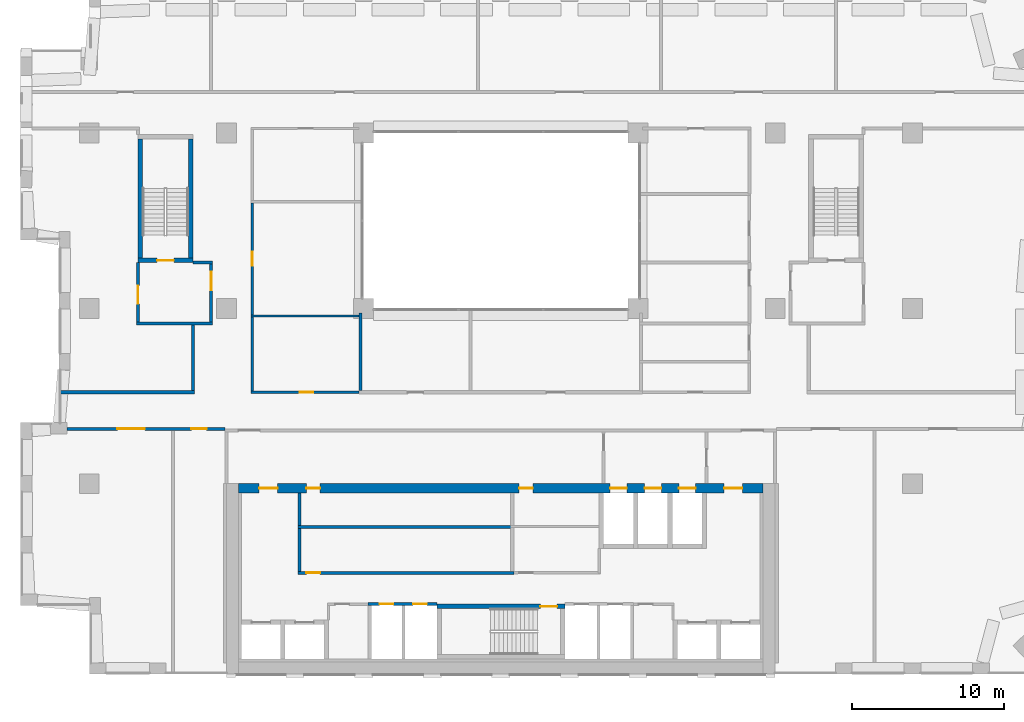
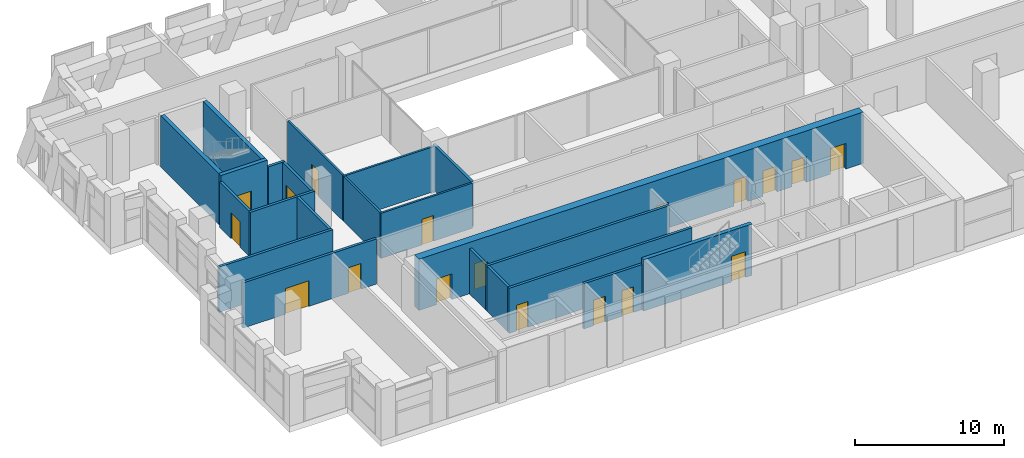
# One storey, part 16 of 20: 22 walls, 18 doors, 18 openings.
"""IFC4 building model written with IfcOpenShell, lengths in metres."""

from ifc_helpers import new_model, si_unit, direction, frame, frame_2d, origin, place, context, subcontext, project, spatial, rectangle, extrude, material, layer, layer_set, type_object, element, fill, save


model = new_model("IFC4")

# Units and contexts
model_context = context("Model", 3, precision=1e-05, world=origin(), true_north=direction((0.0, 1.0)))
body_context = subcontext(model_context, "Body", "Model", "MODEL_VIEW")
ifc_project = project(units=[si_unit("LENGTHUNIT", "METRE"), si_unit("AREAUNIT", "SQUARE_METRE"), si_unit("VOLUMEUNIT", "CUBIC_METRE"), si_unit("PLANEANGLEUNIT", "RADIAN"), si_unit("MASSUNIT", "GRAM", prefix="KILO")], contexts=[model_context])

# Site, building, storey
site_placement = place(None, origin())
site = spatial("IfcSite", under=ifc_project, at=site_placement, CompositionType="ELEMENT")
building_placement = place(site_placement, origin())
building = spatial("IfcBuilding", under=site, at=building_placement, Name="Brigalow Station Residences", CompositionType="ELEMENT")
storey_placement = place(building_placement, frame((0.0, 0.0, 137.10009765625)))
storey = spatial("IfcBuildingStorey", under=building, at=storey_placement, Name="L39", CompositionType="ELEMENT", Elevation=137.10009765625)

# Wall, opening, door
ifc_material_1 = material(Name="Concrete C65", Category="concrete")
ifc_layer_1 = layer(ifc_material_1, 0.300048828125)
ifc_layer_set_1 = layer_set([ifc_layer_1], Name="CORE SHEAR WALL 300 C65")
wall_type_1 = type_object("IfcWallType", Name="CORE SHEAR WALL 300 C65", PredefinedType="SHEAR", material=ifc_layer_set_1)
wall_1_placement = place(storey_placement, frame((31.800048828125, 4.449951171875, 0.0), z_axis=(0.0, 0.0, 1.0), x_axis=(1.0, 0.0, 0.0)))
wall_1 = element("IfcWall", 1, at=wall_1_placement, inside=storey, type_object=wall_type_1, Name="CORE WALL ST-S2-N L39", PredefinedType="SHEAR", context=body_context, shape_type="SweptSolid", body=[
    extrude(rectangle(XDim=8.39990234375, YDim=0.300048828125, at=frame_2d((4.199951171875, 0.0))), origin(), (0.0, 0.0, 1.0), 4.199951171875),
])
opening_1_placement = place(wall_1_placement, frame((6.800048828125, 0.0, 0.0)))
opening_1 = element("IfcOpeningElement", 2, at=opening_1_placement, cuts=wall_1, Name="Opening D-5001", PredefinedType="OPENING", context=body_context, shape_type="SweptSolid", body=[
    extrude(rectangle(XDim=1.10009765625, YDim=2.10009765625, at=frame_2d((0.550048828125, 1.050048828125))), frame((0.0, 0.16015625, 0.0), z_axis=(0.0, -1.0, 0.0), x_axis=(1.0, 0.0, 0.0)), (0.0, 0.0, 1.0), 0.320068359375),
])
ifc_material_2 = material(Name="Steel fire door leaf in steel frame", Category="steel")
door_type_1 = type_object("IfcDoorType", Name="STAIR DOOR 1100 x 2100 FD60S", OperationType="SINGLE_SWING_LEFT", PredefinedType="DOOR", material=ifc_material_2)
door_1_placement = place(opening_1_placement, frame((1.10009765625, 0.0, 0.0), z_axis=(0.0, 0.0, 1.0), x_axis=(-1.0, 0.0, 0.0)))
door_1 = element("IfcDoor", 3, at=door_1_placement, inside=storey, type_object=door_type_1, Name="D-5001", OperationType="SINGLE_SWING_LEFT", OverallHeight=2.10009765625, OverallWidth=1.10009765625, PredefinedType="DOOR", context=body_context, shape_type="SweptSolid", body=[
    extrude(rectangle(XDim=1.10009765625, YDim=2.10009765625, at=frame_2d((0.550048828125, 1.050048828125))), frame((0.0, 0.02490234375, 0.0), z_axis=(0.0, -1.0, 0.0), x_axis=(1.0, 0.0, 0.0)), (0.0, 0.0, 1.0), 0.050048828125),
])
fill(opening_1, door_1)

wall_2_placement = place(storey_placement, frame((12.199951171875, 27.14990234375, 0.0), z_axis=(0.0, 0.0, 1.0), x_axis=(1.0, 0.0, 0.0)))
wall_2 = element("IfcWall", 4, at=wall_2_placement, inside=storey, type_object=wall_type_1, Name="CORE WALL ST-S1-S L39", PredefinedType="SHEAR", context=body_context, shape_type="SweptSolid", body=[
    extrude(rectangle(XDim=3.60009765625, YDim=0.300048828125, at=frame_2d((1.800048828125, 0.0))), origin(), (0.0, 0.0, 1.0), 4.199951171875),
])
opening_2_placement = place(wall_2_placement, frame((1.25, 0.0, 0.0)))
opening_2 = element("IfcOpeningElement", 5, at=opening_2_placement, cuts=wall_2, Name="Opening D-5015", PredefinedType="OPENING", context=body_context, shape_type="SweptSolid", body=[
    extrude(rectangle(XDim=1.10009765625, YDim=2.10009765625, at=frame_2d((0.550048828125, 1.050048828125))), frame((0.0, 0.16015625, 0.0), z_axis=(0.0, -1.0, 0.0), x_axis=(1.0, 0.0, 0.0)), (0.0, 0.0, 1.0), 0.320068359375),
])
door_2_placement = place(opening_2_placement, origin())
door_2 = element("IfcDoor", 6, at=door_2_placement, inside=storey, type_object=door_type_1, Name="D-5015", OperationType="SINGLE_SWING_LEFT", OverallHeight=2.10009765625, OverallWidth=1.10009765625, PredefinedType="DOOR", context=body_context, shape_type="SweptSolid", body=[
    extrude(rectangle(XDim=1.10009765625, YDim=2.10009765625, at=frame_2d((0.550048828125, 1.050048828125))), frame((0.0, 0.02490234375, 0.0), z_axis=(0.0, -1.0, 0.0), x_axis=(1.0, 0.0, 0.0)), (0.0, 0.0, 1.0), 0.050048828125),
])
fill(opening_2, door_2)

# Walls
for number, where, z_axis, x_axis, name in (
    (7, (12.35009765625, 27.300048828125, 0.0), (0.0, 0.0, 1.0), (0.0, 1.0, 0.0), "CORE WALL ST-S1-W L39"),
    (8, (15.64990234375, 27.300048828125, 0.0), (0.0, 0.0, 1.0), (0.0, 1.0, 0.0), "CORE WALL ST-S1-E L39"),
):
    element("IfcWall", number, at=place(storey_placement, frame(where, z_axis=z_axis, x_axis=x_axis)), inside=storey, type_object=wall_type_1, Name=name, PredefinedType="SHEAR", context=body_context, shape_type="SweptSolid", body=[
        extrude(rectangle(XDim=7.800048828125, YDim=0.300048828125, at=frame_2d((3.89990234375, 0.0))), origin(), (0.0, 0.0, 1.0), 4.199951171875),
    ])

# Wall, openings, doors
ifc_material_3 = material(Name="Concrete C65", Category="concrete")
ifc_layer_2 = layer(ifc_material_3, 0.60009765625)
ifc_layer_set_2 = layer_set([ifc_layer_2], Name="CORE SHEAR WALL 600 C65")
wall_type_2 = type_object("IfcWallType", Name="CORE SHEAR WALL 600 C65", PredefinedType="SHEAR", material=ifc_layer_set_2)
wall_3_placement = place(storey_placement, frame((18.800048828125, 12.199951171875, 0.0), z_axis=(0.0, 0.0, 1.0), x_axis=(1.0, 0.0, 0.0)))
wall_3 = element("IfcWall", 9, at=wall_3_placement, inside=storey, type_object=wall_type_2, Name="CORE WALL OUT-N L39", PredefinedType="SHEAR", context=body_context, shape_type="SweptSolid", body=[
    extrude(rectangle(XDim=34.39990234375, YDim=0.60009765625, at=frame_2d((17.199951171875, 0.0))), origin(), (0.0, 0.0, 1.0), 4.199951171875),
])
opening_3_placement = place(wall_3_placement, frame((24.375, 0.0, 0.0)))
opening_3 = element("IfcOpeningElement", 10, at=opening_3_placement, cuts=wall_3, Name="Opening LD-LF1", PredefinedType="OPENING", context=body_context, shape_type="SweptSolid", body=[
    extrude(rectangle(XDim=1.10009765625, YDim=2.10009765625, at=frame_2d((0.550048828125, 1.050048828125))), frame((0.0, 0.31005859375, 0.0), z_axis=(0.0, -1.0, 0.0), x_axis=(1.0, 0.0, 0.0)), (0.0, 0.0, 1.0), 0.6201171875),
])
opening_4_placement = place(wall_3_placement, frame((26.625, 0.0, 0.0)))
opening_4 = element("IfcOpeningElement", 11, at=opening_4_placement, cuts=wall_3, Name="Opening LD-LF2", PredefinedType="OPENING", context=body_context, shape_type="SweptSolid", body=[
    extrude(rectangle(XDim=1.10009765625, YDim=2.10009765625, at=frame_2d((0.550048828125, 1.050048828125))), frame((0.0, 0.31005859375, 0.0), z_axis=(0.0, -1.0, 0.0), x_axis=(1.0, 0.0, 0.0)), (0.0, 0.0, 1.0), 0.6201171875),
])
opening_5_placement = place(wall_3_placement, frame((28.875, 0.0, 0.0)))
opening_5 = element("IfcOpeningElement", 12, at=opening_5_placement, cuts=wall_3, Name="Opening LD-LG1", PredefinedType="OPENING", context=body_context, shape_type="SweptSolid", body=[
    extrude(rectangle(XDim=1.10009765625, YDim=2.10009765625, at=frame_2d((0.550048828125, 1.050048828125))), frame((0.0, 0.31005859375, 0.0), z_axis=(0.0, -1.0, 0.0), x_axis=(1.0, 0.0, 0.0)), (0.0, 0.0, 1.0), 0.6201171875),
])
opening_6_placement = place(wall_3_placement, frame((18.39990234375, 0.0, 0.0)))
opening_6 = element("IfcOpeningElement", 13, at=opening_6_placement, cuts=wall_3, Name="Opening D-5126", PredefinedType="OPENING", context=body_context, shape_type="SweptSolid", body=[
    extrude(rectangle(XDim=0.89990234375, YDim=2.10009765625, at=frame_2d((0.449951171875, 1.050048828125))), frame((0.0, 0.31005859375, 0.0), z_axis=(0.0, -1.0, 0.0), x_axis=(1.0, 0.0, 0.0)), (0.0, 0.0, 1.0), 0.6201171875),
])
opening_7_placement = place(wall_3_placement, frame((4.449951171875, 0.0, 0.0)))
opening_7 = element("IfcOpeningElement", 14, at=opening_7_placement, cuts=wall_3, Name="Opening D-5127", PredefinedType="OPENING", context=body_context, shape_type="SweptSolid", body=[
    extrude(rectangle(XDim=0.89990234375, YDim=2.10009765625, at=frame_2d((0.449951171875, 1.050048828125))), frame((0.0, 0.31005859375, 0.0), z_axis=(0.0, -1.0, 0.0), x_axis=(1.0, 0.0, 0.0)), (0.0, 0.0, 1.0), 0.6201171875),
])
opening_8_placement = place(wall_3_placement, frame((1.35009765625, 0.0, 0.0)))
opening_8 = element("IfcOpeningElement", 15, at=opening_8_placement, cuts=wall_3, Name="Opening D-5011", PredefinedType="OPENING", context=body_context, shape_type="SweptSolid", body=[
    extrude(rectangle(XDim=1.199951171875, YDim=2.10009765625, at=frame_2d((0.60009765625, 1.050048828125))), frame((0.0, 0.31005859375, 0.0), z_axis=(0.0, -1.0, 0.0), x_axis=(1.0, 0.0, 0.0)), (0.0, 0.0, 1.0), 0.6201171875),
])
opening_9_placement = place(wall_3_placement, frame((31.85009765625, 0.0, 0.0)))
opening_9 = element("IfcOpeningElement", 16, at=opening_9_placement, cuts=wall_3, Name="Opening D-5012", PredefinedType="OPENING", context=body_context, shape_type="SweptSolid", body=[
    extrude(rectangle(XDim=1.199951171875, YDim=2.10009765625, at=frame_2d((0.60009765625, 1.050048828125))), frame((0.0, 0.31005859375, 0.0), z_axis=(0.0, -1.0, 0.0), x_axis=(1.0, 0.0, 0.0)), (0.0, 0.0, 1.0), 0.6201171875),
])
ifc_material_4 = material(Name="Steel fire door leaf in steel frame", Category="steel")
door_type_2 = type_object("IfcDoorType", Name="CORE CORRIDOR DOOR 1200 x 2100 FD60S", OperationType="SINGLE_SWING_LEFT", PredefinedType="DOOR", material=ifc_material_4)
door_3_placement = place(opening_8_placement, frame((1.199951171875, 0.0, 0.0), z_axis=(0.0, 0.0, 1.0), x_axis=(-1.0, 0.0, 0.0)))
door_3 = element("IfcDoor", 17, at=door_3_placement, inside=storey, type_object=door_type_2, Name="D-5011", OperationType="SINGLE_SWING_LEFT", OverallHeight=2.10009765625, OverallWidth=1.199951171875, PredefinedType="DOOR", context=body_context, shape_type="SweptSolid", body=[
    extrude(rectangle(XDim=1.199951171875, YDim=2.10009765625, at=frame_2d((0.60009765625, 1.050048828125))), frame((0.0, 0.02490234375, 0.0), z_axis=(0.0, -1.0, 0.0), x_axis=(1.0, 0.0, 0.0)), (0.0, 0.0, 1.0), 0.050048828125),
])
fill(opening_8, door_3)
door_4_placement = place(opening_9_placement, frame((1.199951171875, 0.0, 0.0), z_axis=(0.0, 0.0, 1.0), x_axis=(-1.0, 0.0, 0.0)))
door_4 = element("IfcDoor", 18, at=door_4_placement, inside=storey, type_object=door_type_2, Name="D-5012", OperationType="SINGLE_SWING_LEFT", OverallHeight=2.10009765625, OverallWidth=1.199951171875, PredefinedType="DOOR", context=body_context, shape_type="SweptSolid", body=[
    extrude(rectangle(XDim=1.199951171875, YDim=2.10009765625, at=frame_2d((0.60009765625, 1.050048828125))), frame((0.0, 0.02490234375, 0.0), z_axis=(0.0, -1.0, 0.0), x_axis=(1.0, 0.0, 0.0)), (0.0, 0.0, 1.0), 0.050048828125),
])
fill(opening_9, door_4)
ifc_material_5 = material(Name="Stainless steel sliding door leaves", Category="steel")
door_type_3 = type_object("IfcDoorType", Name="LIFT LANDING DOOR 1100 x 2100", OperationType="DOUBLE_DOOR_SLIDING", PredefinedType="DOOR", material=ifc_material_5)
door_5_placement = place(opening_3_placement, origin())
door_5 = element("IfcDoor", 19, at=door_5_placement, inside=storey, type_object=door_type_3, Name="LANDING DOOR LF1", OperationType="DOUBLE_DOOR_SLIDING", OverallHeight=2.10009765625, OverallWidth=1.10009765625, PredefinedType="DOOR", context=body_context, shape_type="SweptSolid", body=[
    extrude(rectangle(XDim=1.10009765625, YDim=2.10009765625, at=frame_2d((0.550048828125, 1.050048828125))), frame((0.0, 0.02490234375, 0.0), z_axis=(0.0, -1.0, 0.0), x_axis=(1.0, 0.0, 0.0)), (0.0, 0.0, 1.0), 0.050048828125),
])
fill(opening_3, door_5)
door_6_placement = place(opening_4_placement, origin())
door_6 = element("IfcDoor", 20, at=door_6_placement, inside=storey, type_object=door_type_3, Name="LANDING DOOR LF2", OperationType="DOUBLE_DOOR_SLIDING", OverallHeight=2.10009765625, OverallWidth=1.10009765625, PredefinedType="DOOR", context=body_context, shape_type="SweptSolid", body=[
    extrude(rectangle(XDim=1.10009765625, YDim=2.10009765625, at=frame_2d((0.550048828125, 1.050048828125))), frame((0.0, 0.02490234375, 0.0), z_axis=(0.0, -1.0, 0.0), x_axis=(1.0, 0.0, 0.0)), (0.0, 0.0, 1.0), 0.050048828125),
])
fill(opening_4, door_6)
door_7_placement = place(opening_5_placement, origin())
door_7 = element("IfcDoor", 21, at=door_7_placement, inside=storey, type_object=door_type_3, Name="LANDING DOOR LG1", OperationType="DOUBLE_DOOR_SLIDING", OverallHeight=2.10009765625, OverallWidth=1.10009765625, PredefinedType="DOOR", context=body_context, shape_type="SweptSolid", body=[
    extrude(rectangle(XDim=1.10009765625, YDim=2.10009765625, at=frame_2d((0.550048828125, 1.050048828125))), frame((0.0, 0.02490234375, 0.0), z_axis=(0.0, -1.0, 0.0), x_axis=(1.0, 0.0, 0.0)), (0.0, 0.0, 1.0), 0.050048828125),
])
fill(opening_5, door_7)
ifc_material_6 = material(Name="Steel door leaf in steel frame", Category="steel")
door_type_4 = type_object("IfcDoorType", Name="SERVICE ROOM DOOR 900 x 2100 FD60", OperationType="SINGLE_SWING_LEFT", PredefinedType="DOOR", material=ifc_material_6)
door_8_placement = place(opening_6_placement, frame((0.89990234375, 0.0, 0.0), z_axis=(0.0, 0.0, 1.0), x_axis=(-1.0, 0.0, 0.0)))
door_8 = element("IfcDoor", 22, at=door_8_placement, inside=storey, type_object=door_type_4, Name="D-5126", OperationType="SINGLE_SWING_RIGHT", OverallHeight=2.10009765625, OverallWidth=0.89990234375, PredefinedType="DOOR", context=body_context, shape_type="SweptSolid", body=[
    extrude(rectangle(XDim=0.89990234375, YDim=2.10009765625, at=frame_2d((0.449951171875, 1.050048828125))), frame((0.0, 0.02490234375, 0.0), z_axis=(0.0, -1.0, 0.0), x_axis=(1.0, 0.0, 0.0)), (0.0, 0.0, 1.0), 0.050048828125),
])
fill(opening_6, door_8)
door_9_placement = place(opening_7_placement, frame((0.89990234375, 0.0, 0.0), z_axis=(0.0, 0.0, 1.0), x_axis=(-1.0, 0.0, 0.0)))
door_9 = element("IfcDoor", 23, at=door_9_placement, inside=storey, type_object=door_type_4, Name="D-5127", OperationType="SINGLE_SWING_RIGHT", OverallHeight=2.10009765625, OverallWidth=0.89990234375, PredefinedType="DOOR", context=body_context, shape_type="SweptSolid", body=[
    extrude(rectangle(XDim=0.89990234375, YDim=2.10009765625, at=frame_2d((0.449951171875, 1.050048828125))), frame((0.0, 0.02490234375, 0.0), z_axis=(0.0, -1.0, 0.0), x_axis=(1.0, 0.0, 0.0)), (0.0, 0.0, 1.0), 0.050048828125),
])
fill(opening_7, door_9)

ifc_material_7 = material(Name="Concrete blockwork", Category="masonry")
ifc_layer_3 = layer(ifc_material_7, 0.199951171875)
ifc_layer_set_3 = layer_set([ifc_layer_3], Name="FIRE RATED CORE PARTITION 200")
wall_type_3 = type_object("IfcWallType", Name="FIRE RATED CORE PARTITION 200", PredefinedType="PARTITIONING", material=ifc_layer_set_3)
wall_4_placement = place(storey_placement, frame((27.300048828125, 4.60009765625, 0.0), z_axis=(0.0, 0.0, 1.0), x_axis=(1.0, 0.0, 0.0)))
wall_4 = element("IfcWall", 24, at=wall_4_placement, inside=storey, type_object=wall_type_3, Name="PW-5017", PredefinedType="PARTITIONING", context=body_context, shape_type="SweptSolid", body=[
    extrude(rectangle(XDim=4.5, YDim=0.199951171875, at=frame_2d((2.25, 0.0))), origin(), (0.0, 0.0, 1.0), 3.699951171875),
])
opening_10_placement = place(wall_4_placement, frame((0.75, 0.0, 0.0)))
opening_10 = element("IfcOpeningElement", 25, at=opening_10_placement, cuts=wall_4, Name="Opening D-5007", PredefinedType="OPENING", context=body_context, shape_type="SweptSolid", body=[
    extrude(rectangle(XDim=0.89990234375, YDim=2.10009765625, at=frame_2d((0.449951171875, 1.050048828125))), frame((0.0, 0.10986328125, 0.0), z_axis=(0.0, -1.0, 0.0), x_axis=(1.0, 0.0, 0.0)), (0.0, 0.0, 1.0), 0.219970703125),
])
opening_11_placement = place(wall_4_placement, frame((2.949951171875, 0.0, 0.0)))
opening_11 = element("IfcOpeningElement", 26, at=opening_11_placement, cuts=wall_4, Name="Opening D-5008", PredefinedType="OPENING", context=body_context, shape_type="SweptSolid", body=[
    extrude(rectangle(XDim=0.89990234375, YDim=2.10009765625, at=frame_2d((0.449951171875, 1.050048828125))), frame((0.0, 0.10986328125, 0.0), z_axis=(0.0, -1.0, 0.0), x_axis=(1.0, 0.0, 0.0)), (0.0, 0.0, 1.0), 0.219970703125),
])
ifc_material_8 = material(Name="Steel fire door leaf in steel frame", Category="steel")
door_type_5 = type_object("IfcDoorType", Name="RISER ACCESS DOOR 900 x 2100 FD120", OperationType="SINGLE_SWING_LEFT", PredefinedType="DOOR", material=ifc_material_8)
door_10_placement = place(opening_10_placement, frame((0.89990234375, 0.0, 0.0), z_axis=(0.0, 0.0, 1.0), x_axis=(-1.0, 0.0, 0.0)))
door_10 = element("IfcDoor", 27, at=door_10_placement, inside=storey, type_object=door_type_5, Name="D-5007", OperationType="SINGLE_SWING_RIGHT", OverallHeight=2.10009765625, OverallWidth=0.89990234375, PredefinedType="DOOR", context=body_context, shape_type="SweptSolid", body=[
    extrude(rectangle(XDim=0.89990234375, YDim=2.10009765625, at=frame_2d((0.449951171875, 1.050048828125))), frame((0.0, 0.02490234375, 0.0), z_axis=(0.0, -1.0, 0.0), x_axis=(1.0, 0.0, 0.0)), (0.0, 0.0, 1.0), 0.050048828125),
])
fill(opening_10, door_10)
door_11_placement = place(opening_11_placement, frame((0.89990234375, 0.0, 0.0), z_axis=(0.0, 0.0, 1.0), x_axis=(-1.0, 0.0, 0.0)))
door_11 = element("IfcDoor", 28, at=door_11_placement, inside=storey, type_object=door_type_5, Name="D-5008", OperationType="SINGLE_SWING_RIGHT", OverallHeight=2.10009765625, OverallWidth=0.89990234375, PredefinedType="DOOR", context=body_context, shape_type="SweptSolid", body=[
    extrude(rectangle(XDim=0.89990234375, YDim=2.10009765625, at=frame_2d((0.449951171875, 1.050048828125))), frame((0.0, 0.02490234375, 0.0), z_axis=(0.0, -1.0, 0.0), x_axis=(1.0, 0.0, 0.0)), (0.0, 0.0, 1.0), 0.050048828125),
])
fill(opening_11, door_11)

# Wall, opening, door
wall_5_placement = place(storey_placement, frame((22.699951171875, 6.64990234375, 0.0), z_axis=(0.0, 0.0, 1.0), x_axis=(1.0, 0.0, 0.0)))
wall_5 = element("IfcWall", 29, at=wall_5_placement, inside=storey, type_object=wall_type_3, Name="PW-5259", PredefinedType="PARTITIONING", context=body_context, shape_type="SweptSolid", body=[
    extrude(rectangle(XDim=14.150146484375, YDim=0.199951171875, at=frame_2d((7.0751953125, 0.0))), origin(), (0.0, 0.0, 1.0), 3.699951171875),
])
opening_12_placement = place(wall_5_placement, frame((0.550048828125, 0.0, 0.0)))
opening_12 = element("IfcOpeningElement", 30, at=opening_12_placement, cuts=wall_5, Name="Opening D-5128", PredefinedType="OPENING", context=body_context, shape_type="SweptSolid", body=[
    extrude(rectangle(XDim=0.89990234375, YDim=2.10009765625, at=frame_2d((0.449951171875, 1.050048828125))), frame((0.0, 0.10986328125, 0.0), z_axis=(0.0, -1.0, 0.0), x_axis=(1.0, 0.0, 0.0)), (0.0, 0.0, 1.0), 0.219970703125),
])
ifc_material_9 = material(Name="Steel fire door leaf in steel frame", Category="steel")
door_type_6 = type_object("IfcDoorType", Name="PLANT ROOM DOOR 900 x 2100 FD60", OperationType="SINGLE_SWING_LEFT", PredefinedType="DOOR", material=ifc_material_9)
door_12_placement = place(opening_12_placement, origin())
door_12 = element("IfcDoor", 31, at=door_12_placement, inside=storey, type_object=door_type_6, Name="D-5128", OperationType="SINGLE_SWING_LEFT", OverallHeight=2.10009765625, OverallWidth=0.89990234375, PredefinedType="DOOR", context=body_context, shape_type="SweptSolid", body=[
    extrude(rectangle(XDim=0.89990234375, YDim=2.10009765625, at=frame_2d((0.449951171875, 1.050048828125))), frame((0.0, 0.02490234375, 0.0), z_axis=(0.0, -1.0, 0.0), x_axis=(1.0, 0.0, 0.0)), (0.0, 0.0, 1.0), 0.050048828125),
])
fill(opening_12, door_12)

# Walls
wall_6_placement = place(storey_placement, frame((22.699951171875, 9.64990234375, 0.0), z_axis=(0.0, 0.0, 1.0), x_axis=(1.0, 0.0, 0.0)))
element("IfcWall", 32, at=wall_6_placement, inside=storey, type_object=wall_type_3, Name="PW-5247", PredefinedType="PARTITIONING", context=body_context, shape_type="SweptSolid", body=[
    extrude(rectangle(XDim=14.150146484375, YDim=0.199951171875, at=frame_2d((7.0751953125, 0.0))), origin(), (0.0, 0.0, 1.0), 3.699951171875),
])
wall_7_placement = place(storey_placement, frame((12.10009765625, 23.0, 0.0), z_axis=(0.0, 0.0, 1.0), x_axis=(1.0, 0.0, 0.0)))
element("IfcWall", 33, at=wall_7_placement, inside=storey, type_object=wall_type_3, Name="PW-5023", PredefinedType="PARTITIONING", context=body_context, shape_type="SweptSolid", body=[
    extrude(rectangle(XDim=5.0, YDim=0.199951171875, at=frame_2d((2.5, 0.0))), origin(), (0.0, 0.0, 1.0), 3.699951171875),
])
wall_8_placement = place(storey_placement, frame((15.800048828125, 27.0, 0.0), z_axis=(0.0, 0.0, 1.0), x_axis=(1.0, 0.0, 0.0)))
element("IfcWall", 34, at=wall_8_placement, inside=storey, type_object=wall_type_3, Name="PW-5025", PredefinedType="PARTITIONING", context=body_context, shape_type="SweptSolid", body=[
    extrude(rectangle(XDim=1.300048828125, YDim=0.199951171875, at=frame_2d((0.64990234375, 0.0))), origin(), (0.0, 0.0, 1.0), 3.699951171875),
])
wall_9_placement = place(storey_placement, frame((22.800048828125, 6.75, 0.0), z_axis=(0.0, 0.0, 1.0), x_axis=(0.0, 1.0, 0.0)))
element("IfcWall", 35, at=wall_9_placement, inside=storey, type_object=wall_type_3, Name="PW-5252", PredefinedType="PARTITIONING", context=body_context, shape_type="SweptSolid", body=[
    extrude(rectangle(XDim=2.800048828125, YDim=0.199951171875, at=frame_2d((1.39990234375, 0.0))), origin(), (0.0, 0.0, 1.0), 3.699951171875),
])
wall_10_placement = place(storey_placement, frame((22.800048828125, 9.75, 0.0), z_axis=(0.0, 0.0, 1.0), x_axis=(0.0, 1.0, 0.0)))
element("IfcWall", 36, at=wall_10_placement, inside=storey, type_object=wall_type_3, Name="PW-5255", PredefinedType="PARTITIONING", context=body_context, shape_type="SweptSolid", body=[
    extrude(rectangle(XDim=2.14990234375, YDim=0.199951171875, at=frame_2d((1.074951171875, 0.0))), origin(), (0.0, 0.0, 1.0), 3.699951171875),
])

# Wall, opening, door
wall_11_placement = place(storey_placement, frame((12.199951171875, 23.10009765625, 0.0), z_axis=(0.0, 0.0, 1.0), x_axis=(0.0, 1.0, 0.0)))
wall_11 = element("IfcWall", 37, at=wall_11_placement, inside=storey, type_object=wall_type_3, Name="PW-5034", PredefinedType="PARTITIONING", context=body_context, shape_type="SweptSolid", body=[
    extrude(rectangle(XDim=3.89990234375, YDim=0.199951171875, at=frame_2d((1.949951171875, 0.0))), origin(), (0.0, 0.0, 1.0), 3.699951171875),
])
opening_13_placement = place(wall_11_placement, frame((1.199951171875, 0.0, 0.0)))
opening_13 = element("IfcOpeningElement", 38, at=opening_13_placement, cuts=wall_11, Name="Opening D-5108", PredefinedType="OPENING", context=body_context, shape_type="SweptSolid", body=[
    extrude(rectangle(XDim=1.199951171875, YDim=2.10009765625, at=frame_2d((0.60009765625, 1.050048828125))), frame((0.0, 0.10986328125, 0.0), z_axis=(0.0, -1.0, 0.0), x_axis=(1.0, 0.0, 0.0)), (0.0, 0.0, 1.0), 0.219970703125),
])
ifc_material_10 = material(Name="Steel fire door leaves in steel frame", Category="steel")
door_type_7 = type_object("IfcDoorType", Name="REFUGE AREA DOOR 1200 x 2100 FD60S", OperationType="SINGLE_SWING_LEFT", PredefinedType="DOOR", material=ifc_material_10)
door_13_placement = place(opening_13_placement, frame((1.199951171875, 0.0, 0.0), z_axis=(0.0, 0.0, 1.0), x_axis=(-1.0, 0.0, 0.0)))
door_13 = element("IfcDoor", 39, at=door_13_placement, inside=storey, type_object=door_type_7, Name="D-5108", OperationType="SINGLE_SWING_RIGHT", OverallHeight=2.10009765625, OverallWidth=1.199951171875, PredefinedType="DOOR", context=body_context, shape_type="SweptSolid", body=[
    extrude(rectangle(XDim=1.199951171875, YDim=2.10009765625, at=frame_2d((0.60009765625, 1.050048828125))), frame((0.0, 0.02490234375, 0.0), z_axis=(0.0, -1.0, 0.0), x_axis=(1.0, 0.0, 0.0)), (0.0, 0.0, 1.0), 0.050048828125),
])
fill(opening_13, door_13)

wall_12_placement = place(storey_placement, frame((17.0, 23.10009765625, 0.0), z_axis=(0.0, 0.0, 1.0), x_axis=(0.0, 1.0, 0.0)))
wall_12 = element("IfcWall", 40, at=wall_12_placement, inside=storey, type_object=wall_type_3, Name="PW-5035", PredefinedType="PARTITIONING", context=body_context, shape_type="SweptSolid", body=[
    extrude(rectangle(XDim=3.7998046875, YDim=0.199951171875, at=frame_2d((1.89990234375, 0.0))), origin(), (0.0, 0.0, 1.0), 3.699951171875),
])
opening_14_placement = place(wall_12_placement, frame((2.10009765625, 0.0, 0.0)))
opening_14 = element("IfcOpeningElement", 41, at=opening_14_placement, cuts=wall_12, Name="Opening D-5016", PredefinedType="OPENING", context=body_context, shape_type="SweptSolid", body=[
    extrude(rectangle(XDim=1.199951171875, YDim=2.10009765625, at=frame_2d((0.60009765625, 1.050048828125))), frame((0.0, 0.10986328125, 0.0), z_axis=(0.0, -1.0, 0.0), x_axis=(1.0, 0.0, 0.0)), (0.0, 0.0, 1.0), 0.219970703125),
])
ifc_material_11 = material(Name="Steel fire door leaf in steel frame", Category="steel")
door_type_8 = type_object("IfcDoorType", Name="STAIR LOBBY DOOR 1200 x 2100 FD60S", OperationType="SINGLE_SWING_LEFT", PredefinedType="DOOR", material=ifc_material_11)
door_14_placement = place(opening_14_placement, origin())
door_14 = element("IfcDoor", 42, at=door_14_placement, inside=storey, type_object=door_type_8, Name="D-5016", OperationType="SINGLE_SWING_RIGHT", OverallHeight=2.10009765625, OverallWidth=1.199951171875, PredefinedType="DOOR", context=body_context, shape_type="SweptSolid", body=[
    extrude(rectangle(XDim=1.199951171875, YDim=2.10009765625, at=frame_2d((0.60009765625, 1.050048828125))), frame((0.0, 0.02490234375, 0.0), z_axis=(0.0, -1.0, 0.0), x_axis=(1.0, 0.0, 0.0)), (0.0, 0.0, 1.0), 0.050048828125),
])
fill(opening_14, door_14)

# Wall, openings, doors
wall_13_placement = place(storey_placement, frame((7.550048828125, 16.10009765625, 0.0), z_axis=(0.0, 0.0, 1.0), x_axis=(1.0, 0.0, 0.0)))
wall_13 = element("IfcWall", 43, at=wall_13_placement, inside=storey, type_object=wall_type_3, Name="PW-5263", PredefinedType="PARTITIONING", context=body_context, shape_type="SweptSolid", body=[
    extrude(rectangle(XDim=10.349853515625, YDim=0.199951171875, at=frame_2d((5.1748046875, 0.0))), origin(), (0.0, 0.0, 1.0), 3.699951171875),
])
opening_15_placement = place(wall_13_placement, frame((3.300048828125, 0.0, 0.0)))
opening_15 = element("IfcOpeningElement", 44, at=opening_15_placement, cuts=wall_13, Name="Opening D-5129", PredefinedType="OPENING", context=body_context, shape_type="SweptSolid", body=[
    extrude(rectangle(XDim=1.800048828125, YDim=2.10009765625, at=frame_2d((0.89990234375, 1.050048828125))), frame((0.0, 0.10986328125, 0.0), z_axis=(0.0, -1.0, 0.0), x_axis=(1.0, 0.0, 0.0)), (0.0, 0.0, 1.0), 0.219970703125),
])
opening_16_placement = place(wall_13_placement, frame((8.14990234375, 0.0, 0.0)))
opening_16 = element("IfcOpeningElement", 45, at=opening_16_placement, cuts=wall_13, Name="Opening D-5130", PredefinedType="OPENING", context=body_context, shape_type="SweptSolid", body=[
    extrude(rectangle(XDim=1.0, YDim=2.10009765625, at=frame_2d((0.5, 1.050048828125))), frame((0.0, 0.10986328125, 0.0), z_axis=(0.0, -1.0, 0.0), x_axis=(1.0, 0.0, 0.0)), (0.0, 0.0, 1.0), 0.219970703125),
])
ifc_material_12 = material(Name="Steel fire door leaf in steel frame", Category="steel")
door_type_9 = type_object("IfcDoorType", Name="PLANT ROOM DOOR 1000 x 2100 FD60", OperationType="SINGLE_SWING_LEFT", PredefinedType="DOOR", material=ifc_material_12)
door_15_placement = place(opening_16_placement, frame((1.0, 0.0, 0.0), z_axis=(0.0, 0.0, 1.0), x_axis=(-1.0, 0.0, 0.0)))
door_15 = element("IfcDoor", 46, at=door_15_placement, inside=storey, type_object=door_type_9, Name="D-5130", OperationType="SINGLE_SWING_RIGHT", OverallHeight=2.10009765625, OverallWidth=1.0, PredefinedType="DOOR", context=body_context, shape_type="SweptSolid", body=[
    extrude(rectangle(XDim=1.0, YDim=2.10009765625, at=frame_2d((0.5, 1.050048828125))), frame((0.0, 0.02490234375, 0.0), z_axis=(0.0, -1.0, 0.0), x_axis=(1.0, 0.0, 0.0)), (0.0, 0.0, 1.0), 0.050048828125),
])
fill(opening_16, door_15)
ifc_material_13 = material(Name="Steel fire door leaf in steel frame", Category="steel")
door_type_10 = type_object("IfcDoorType", Name="PLANT ROOM DOOR 1800 x 2100 FD60", OperationType="DOUBLE_DOOR_SINGLE_SWING", PredefinedType="DOOR", material=ifc_material_13)
door_16_placement = place(opening_15_placement, frame((1.800048828125, 0.0, 0.0), z_axis=(0.0, 0.0, 1.0), x_axis=(-1.0, 0.0, 0.0)))
door_16 = element("IfcDoor", 47, at=door_16_placement, inside=storey, type_object=door_type_10, Name="D-5129", OperationType="DOUBLE_DOOR_SINGLE_SWING", OverallHeight=2.10009765625, OverallWidth=1.800048828125, PredefinedType="DOOR", context=body_context, shape_type="SweptSolid", body=[
    extrude(rectangle(XDim=1.800048828125, YDim=2.10009765625, at=frame_2d((0.89990234375, 1.050048828125))), frame((0.0, 0.02490234375, 0.0), z_axis=(0.0, -1.0, 0.0), x_axis=(1.0, 0.0, 0.0)), (0.0, 0.0, 1.0), 0.050048828125),
])
fill(opening_15, door_16)

# Walls
wall_14_placement = place(storey_placement, frame((7.090087890625, 18.5, 0.0), z_axis=(0.0, 0.0, 1.0), x_axis=(1.0, 0.0, 0.0)))
element("IfcWall", 48, at=wall_14_placement, inside=storey, type_object=wall_type_3, Name="PW-5265", PredefinedType="PARTITIONING", context=body_context, shape_type="SweptSolid", body=[
    extrude(rectangle(XDim=8.809814453125, YDim=0.199951171875, at=frame_2d((4.40478515625, 0.0))), origin(), (0.0, 0.0, 1.0), 3.699951171875),
])
wall_15_placement = place(storey_placement, frame((15.800048828125, 18.60009765625, 0.0), z_axis=(0.0, 0.0, 1.0), x_axis=(0.0, 1.0, 0.0)))
element("IfcWall", 49, at=wall_15_placement, inside=storey, type_object=wall_type_3, Name="PW-5089", PredefinedType="PARTITIONING", context=body_context, shape_type="SweptSolid", body=[
    extrude(rectangle(XDim=4.2998046875, YDim=0.199951171875, at=frame_2d((2.14990234375, 0.0))), origin(), (0.0, 0.0, 1.0), 3.699951171875),
])
wall_16_placement = place(storey_placement, frame((26.800048828125, 18.60009765625, 0.0), z_axis=(0.0, 0.0, 1.0), x_axis=(0.0, 1.0, 0.0)))
element("IfcWall", 50, at=wall_16_placement, inside=storey, type_object=wall_type_3, Name="PW-5090", PredefinedType="PARTITIONING", context=body_context, shape_type="SweptSolid", body=[
    extrude(rectangle(XDim=5.099853515625, YDim=0.199951171875, at=frame_2d((2.5498046875, 0.0))), origin(), (0.0, 0.0, 1.0), 3.699951171875),
])

# Wall, opening, door
ifc_material_14 = material(Name="Plasterboard on steel studs", Category="steel")
ifc_layer_4 = layer(ifc_material_14, 0.14990234375)
ifc_layer_set_4 = layer_set([ifc_layer_4], Name="SERVICE ROOM PARTITION 150")
wall_type_4 = type_object("IfcWallType", Name="SERVICE ROOM PARTITION 150", PredefinedType="PARTITIONING", material=ifc_layer_set_4)
wall_17_placement = place(storey_placement, frame((19.625, 18.5, 0.0), z_axis=(0.0, 0.0, 1.0), x_axis=(1.0, 0.0, 0.0)))
wall_17 = element("IfcWall", 51, at=wall_17_placement, inside=storey, type_object=wall_type_4, Name="PW-5266", PredefinedType="PARTITIONING", context=body_context, shape_type="SweptSolid", body=[
    extrude(rectangle(XDim=7.074951171875, YDim=0.14990234375, at=frame_2d((3.53759765625, 0.0))), origin(), (0.0, 0.0, 1.0), 3.699951171875),
])
opening_17_placement = place(wall_17_placement, frame((3.175048828125, 0.0, 0.0)))
opening_17 = element("IfcOpeningElement", 52, at=opening_17_placement, cuts=wall_17, Name="Opening D-5133", PredefinedType="OPENING", context=body_context, shape_type="SweptSolid", body=[
    extrude(rectangle(XDim=0.89990234375, YDim=2.10009765625, at=frame_2d((0.449951171875, 1.050048828125))), frame((0.0, 0.0849609375, 0.0), z_axis=(0.0, -1.0, 0.0), x_axis=(1.0, 0.0, 0.0)), (0.0, 0.0, 1.0), 0.169921875),
])
door_17_placement = place(opening_17_placement, origin())
door_17 = element("IfcDoor", 53, at=door_17_placement, inside=storey, type_object=door_type_4, Name="D-5133", OperationType="SINGLE_SWING_RIGHT", OverallHeight=2.10009765625, OverallWidth=0.89990234375, PredefinedType="DOOR", context=body_context, shape_type="SweptSolid", body=[
    extrude(rectangle(XDim=0.89990234375, YDim=2.10009765625, at=frame_2d((0.449951171875, 1.050048828125))), frame((0.0, 0.02490234375, 0.0), z_axis=(0.0, -1.0, 0.0), x_axis=(1.0, 0.0, 0.0)), (0.0, 0.0, 1.0), 0.050048828125),
])
fill(opening_17, door_17)

# Walls
wall_18_placement = place(storey_placement, frame((19.625, 23.5, 0.0), z_axis=(0.0, 0.0, 1.0), x_axis=(1.0, 0.0, 0.0)))
element("IfcWall", 54, at=wall_18_placement, inside=storey, type_object=wall_type_4, Name="PW-5270", PredefinedType="PARTITIONING", context=body_context, shape_type="SweptSolid", body=[
    extrude(rectangle(XDim=7.27490234375, YDim=0.14990234375, at=frame_2d((3.637451171875, 0.0))), origin(), (0.0, 0.0, 1.0), 3.699951171875),
])
wall_19_placement = place(storey_placement, frame((19.699951171875, 18.574951171875, 0.0), z_axis=(0.0, 0.0, 1.0), x_axis=(0.0, 1.0, 0.0)))
element("IfcWall", 55, at=wall_19_placement, inside=storey, type_object=wall_type_4, Name="PW-5283", PredefinedType="PARTITIONING", context=body_context, shape_type="SweptSolid", body=[
    extrude(rectangle(XDim=4.85009765625, YDim=0.14990234375, at=frame_2d((2.425048828125, 0.0))), origin(), (0.0, 0.0, 1.0), 3.699951171875),
])

# Wall, opening, door
wall_20_placement = place(storey_placement, frame((19.699951171875, 23.574951171875, 0.0), z_axis=(0.0, 0.0, 1.0), x_axis=(0.0, 1.0, 0.0)))
wall_20 = element("IfcWall", 56, at=wall_20_placement, inside=storey, type_object=wall_type_4, Name="PW-5288", PredefinedType="PARTITIONING", context=body_context, shape_type="SweptSolid", body=[
    extrude(rectangle(XDim=7.35009765625, YDim=0.14990234375, at=frame_2d((3.675048828125, 0.0))), origin(), (0.0, 0.0, 1.0), 3.699951171875),
])
opening_18_placement = place(wall_20_placement, frame((3.22509765625, 0.0, 0.0)))
opening_18 = element("IfcOpeningElement", 57, at=opening_18_placement, cuts=wall_20, Name="Opening D-5134", PredefinedType="OPENING", context=body_context, shape_type="SweptSolid", body=[
    extrude(rectangle(XDim=0.89990234375, YDim=2.10009765625, at=frame_2d((0.449951171875, 1.050048828125))), frame((0.0, 0.0849609375, 0.0), z_axis=(0.0, -1.0, 0.0), x_axis=(1.0, 0.0, 0.0)), (0.0, 0.0, 1.0), 0.169921875),
])
door_18_placement = place(opening_18_placement, frame((0.89990234375, 0.0, 0.0), z_axis=(0.0, 0.0, 1.0), x_axis=(-1.0, 0.0, 0.0)))
door_18 = element("IfcDoor", 58, at=door_18_placement, inside=storey, type_object=door_type_4, Name="D-5134", OperationType="SINGLE_SWING_LEFT", OverallHeight=2.10009765625, OverallWidth=0.89990234375, PredefinedType="DOOR", context=body_context, shape_type="SweptSolid", body=[
    extrude(rectangle(XDim=0.89990234375, YDim=2.10009765625, at=frame_2d((0.449951171875, 1.050048828125))), frame((0.0, 0.02490234375, 0.0), z_axis=(0.0, -1.0, 0.0), x_axis=(1.0, 0.0, 0.0)), (0.0, 0.0, 1.0), 0.050048828125),
])
fill(opening_18, door_18)

save(model, "model.ifc")
